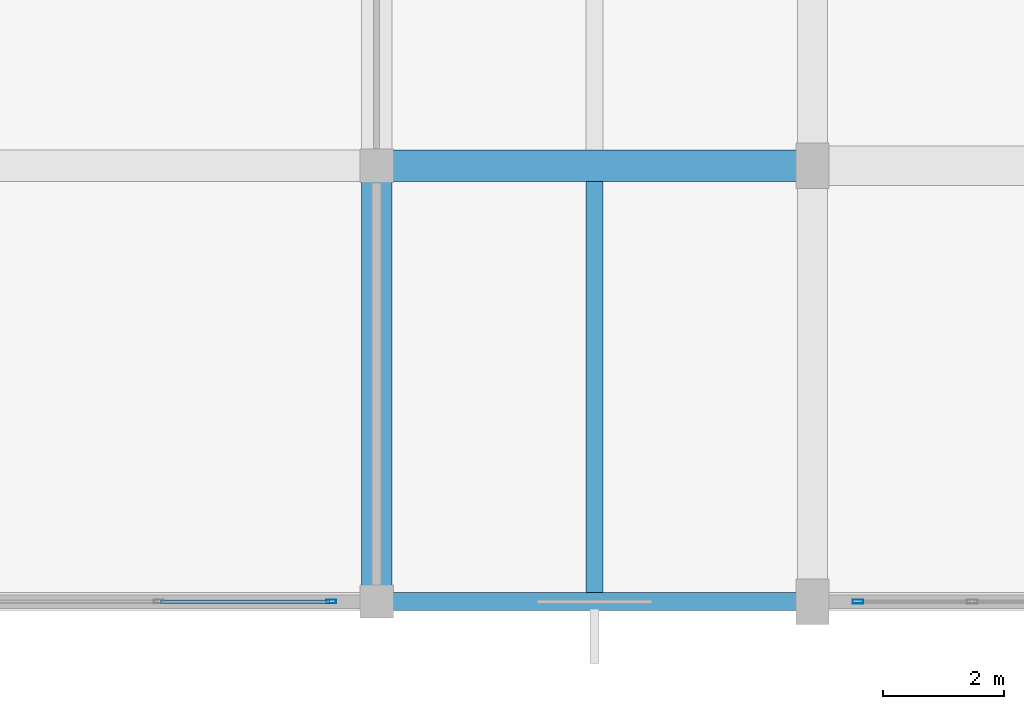
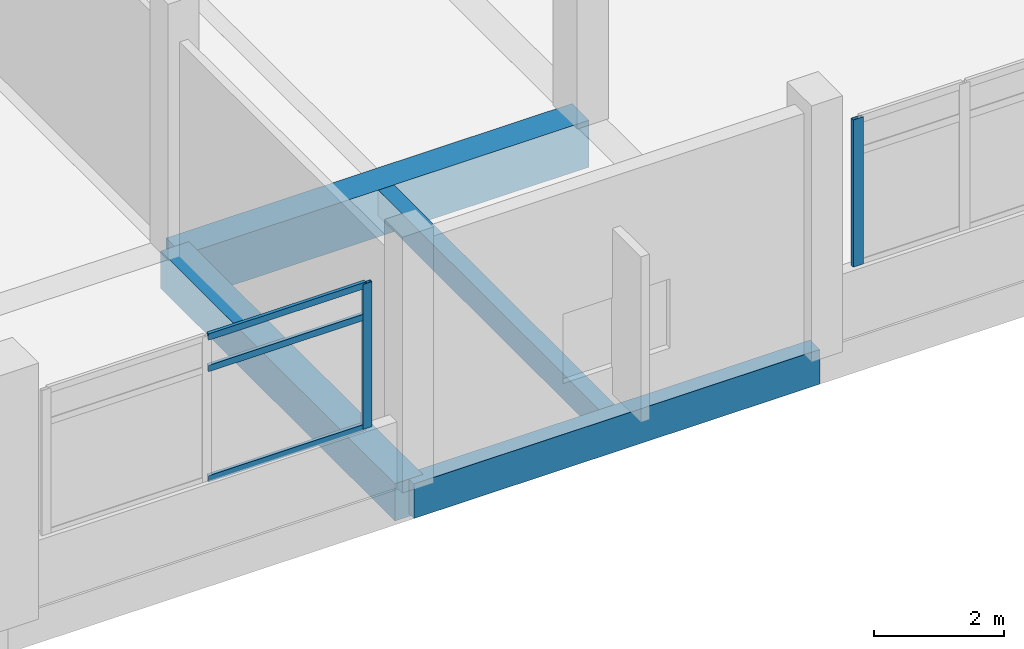
# One storey, part 80 of 140: 5 members, 4 beams, 2 elements without a shape of their own.
"""IFC4 building model written with IfcOpenShell, lengths in metres."""

import ifcopenshell
import ifcopenshell.guid

model = None  # the IFC model being written
_history = None  # IfcOwnerHistory: only IFC2X3 demands one
_inside = {}  # id of a spatial element -> (the spatial element, [elements in it])
_under = {}  # id of a project, library or spatial element -> (it, [spatial elements below it])
_declared = {}  # id of a project -> (the project, [libraries it declares])
_typed = {}  # id of a type object -> (the type object, [elements of that type])
_made_of = {}  # id of a material, layer set ... -> (it, [elements and type objects made of it])


def new_model(schema):
    """Start an empty IFC model of exactly this schema.

    Asked for "IFC4X3", IfcOpenShell would pick the latest addendum, in which some entities
    have other attributes; the version numbers below select the first issue.
    IFC2X3 requires an IfcOwnerHistory on every rooted entity: one is made here for all.
    """
    global model, _history
    if schema == "IFC4X3":
        model = ifcopenshell.file(schema_version=(4, 3, 0, 0))
    else:
        model = ifcopenshell.file(schema=schema)
    _inside.clear()
    _under.clear()
    _declared.clear()
    _typed.clear()
    _made_of.clear()
    _history = None
    if model.schema == "IFC2X3":
        org = make("IfcOrganization", Name="unknown")
        user = make(
            "IfcPersonAndOrganization",
            ThePerson=make("IfcPerson", FamilyName="unknown"),
            TheOrganization=org,
        )
        app = make(
            "IfcApplication",
            ApplicationDeveloper=org,
            Version="unknown",
            ApplicationFullName="unknown",
            ApplicationIdentifier="unknown",
        )
        _history = make(
            "IfcOwnerHistory",
            OwningUser=user,
            OwningApplication=app,
            ChangeAction="ADDED",
            CreationDate=0,
        )
    return model


def make(cls, **values):
    """One entity of the class cls with the attributes given. An attribute that is None is left unset."""
    return model.create_entity(
        cls, **{name: value for name, value in values.items() if value is not None}
    )


def rooted(cls, **values):
    """An entity with a GlobalId (a new one), such as an element, a storey or a relation."""
    return make(cls, GlobalId=ifcopenshell.guid.new(), OwnerHistory=_history, **values)


def si_unit(unit_type, name, prefix=None):
    """IfcSIUnit, for example si_unit("LENGTHUNIT", "METRE", prefix="MILLI")."""
    return make("IfcSIUnit", UnitType=unit_type, Prefix=prefix, Name=name)


def assignment(units):
    """IfcUnitAssignment: the units of a project."""
    return None if units is None else make("IfcUnitAssignment", Units=units)


def point(xyz):
    """IfcCartesianPoint."""
    return None if xyz is None else make("IfcCartesianPoint", Coordinates=xyz)


def direction(xyz):
    """IfcDirection."""
    return None if xyz is None else make("IfcDirection", DirectionRatios=xyz)


def frame(location, z_axis=None, x_axis=None):
    """IfcAxis2Placement3D, a coordinate frame: its origin and axes. An axis left out is left unset."""
    return make(
        "IfcAxis2Placement3D",
        Location=point(location),
        Axis=direction(z_axis),
        RefDirection=direction(x_axis),
    )


def frame_2d(location, x_axis=None):
    """IfcAxis2Placement2D, a coordinate frame in the plane: its origin and x axis."""
    return make(
        "IfcAxis2Placement2D", Location=point(location), RefDirection=direction(x_axis)
    )


def origin():
    """The frame at (0, 0, 0) with its axes left unset."""
    return frame((0.0, 0.0, 0.0))


def origin_2d():
    """The frame at (0, 0) in the plane with its x axis left unset."""
    return frame_2d((0.0, 0.0))


def place(relative_to, where):
    """IfcLocalPlacement: puts the frame where relative to a parent placement (None: the world)."""
    return make(
        "IfcLocalPlacement", PlacementRelTo=relative_to, RelativePlacement=where
    )


def context(
    kind, dimensions, precision=None, world=None, true_north=None, identifier=None
):
    """IfcGeometricRepresentationContext, for example the 3D "Model" context."""
    return make(
        "IfcGeometricRepresentationContext",
        ContextIdentifier=identifier,
        ContextType=kind,
        CoordinateSpaceDimension=dimensions,
        Precision=precision,
        WorldCoordinateSystem=world,
        TrueNorth=true_north,
    )


def subcontext(parent, identifier, kind, view, scale=None):
    """IfcGeometricRepresentationSubContext, for example "Body" below "Model"."""
    return make(
        "IfcGeometricRepresentationSubContext",
        ContextIdentifier=identifier,
        ContextType=kind,
        ParentContext=parent,
        TargetScale=scale,
        TargetView=view,
    )


def project(units=None, contexts=None):
    """IfcProject with its units and contexts."""
    return rooted(
        "IfcProject",
        Name="project",
        RepresentationContexts=contexts,
        UnitsInContext=assignment(units),
    )


def spatial(cls, under=None, at=None, **own):
    """A site, building, storey or space (cls), placed at a placement, below another one or the project."""
    s = rooted(cls, ObjectPlacement=at, **own)
    if under is not None:
        _under.setdefault(under.id(), (under, []))[1].append(s)
    return s


def profile(cls, at=None, kind="AREA", **sizes):
    """A parametric profile (cls). Its sizes go by their IFC names, for example OverallWidth=200.0."""
    return make(cls, ProfileType=kind, Position=at, **sizes)


def rectangle(**sizes):
    """IfcRectangleProfileDef."""
    return profile("IfcRectangleProfileDef", **sizes)


def hollow_rectangle(**sizes):
    """IfcRectangleHollowProfileDef."""
    return profile("IfcRectangleHollowProfileDef", **sizes)


def extrude(swept, where, along, depth):
    """IfcExtrudedAreaSolid: the profile swept, set in the frame where, extruded along a direction by depth."""
    return make(
        "IfcExtrudedAreaSolid",
        SweptArea=swept,
        Position=where,
        ExtrudedDirection=direction(along),
        Depth=depth,
    )


def shape(context_of_items, identifier, shape_type, items):
    """IfcShapeRepresentation: the items that make up one representation, for example the "Body"."""
    return make(
        "IfcShapeRepresentation",
        ContextOfItems=context_of_items,
        RepresentationIdentifier=identifier,
        RepresentationType=shape_type,
        Items=items,
    )


def material(Name=None, Category=None):
    """IfcMaterial."""
    return make("IfcMaterial", Name=Name, Category=Category)


def layer(
    of_material, thickness, ventilated=None, Name=None, Category=None, Priority=None
):
    """IfcMaterialLayer: one layer of a wall or slab, of a material (None: an air gap)."""
    return make(
        "IfcMaterialLayer",
        Material=of_material,
        LayerThickness=thickness,
        IsVentilated=ventilated,
        Name=Name,
        Category=Category,
        Priority=Priority,
    )


def layer_set(layers, Name=None):
    """IfcMaterialLayerSet."""
    return make("IfcMaterialLayerSet", MaterialLayers=layers, LayerSetName=Name)


def material_profile(
    of_material, cross_section, Name=None, Category=None, Priority=None
):
    """IfcMaterialProfile: a cross section and its material."""
    return make(
        "IfcMaterialProfile",
        Name=Name,
        Material=of_material,
        Profile=cross_section,
        Priority=Priority,
        Category=Category,
    )


def profile_set(profiles, Name=None, composite=None):
    """IfcMaterialProfileSet."""
    return make(
        "IfcMaterialProfileSet",
        Name=Name,
        MaterialProfiles=profiles,
        CompositeProfile=composite,
    )


def made_of(thing, what):
    """Note that an element or type object is made of a material, layer set ...; save() writes the relation."""
    if what is not None:
        _made_of.setdefault(what.id(), (what, []))[1].append(thing)
    return thing


def type_object(cls, material=None, **own):
    """A type object (cls), such as IfcWallType, which elements share."""
    return made_of(rooted(cls, **own), material)


def element(
    cls,
    number,
    at=None,
    inside=None,
    cuts=None,
    type_object=None,
    material=None,
    context=None,
    identifier="Body",
    shape_type=None,
    held_by="IfcProductDefinitionShape",
    body=None,
    shapes=None,
    **own,
):
    """One element of the class cls, such as IfcWall. Its Tag is "e" and its number.

    at: its placement. inside: the storey or other place that contains it. cuts: it is an
    opening in that element (IfcRelVoidsElement). A single representation is given by context,
    identifier, shape_type and body (its items); several are given by shapes. held_by: the class
    of the entity that holds the representations. save() writes the other relations.
    """
    e = rooted(cls, Tag="e%d" % number, ObjectPlacement=at, **own)
    if body is not None:
        shapes = [shape(context, identifier, shape_type, body)]
    if shapes is not None:
        e.Representation = make(held_by, Representations=shapes)
    if inside is not None:
        _inside.setdefault(inside.id(), (inside, []))[1].append(e)
    if cuts is not None:
        rooted(
            "IfcRelVoidsElement", RelatingBuildingElement=cuts, RelatedOpeningElement=e
        )
    if type_object is not None:
        _typed.setdefault(type_object.id(), (type_object, []))[1].append(e)
    return made_of(e, material)


def aggregate(whole, parts):
    """IfcRelAggregates: a whole, such as a stair, and the parts it consists of."""
    return rooted("IfcRelAggregates", RelatingObject=whole, RelatedObjects=parts)


def save(model, path):
    """Write the relations noted so far, then the file.

    IfcRelAggregates (storeys below a building ...), IfcRelContainedInSpatialStructure (elements
    in a storey), IfcRelDefinesByType, IfcRelAssociatesMaterial and IfcRelDeclares: one each for
    every whole, place, type object, material and project.
    """
    for whole, parts in _under.values():
        aggregate(whole, parts)
    for where, things in _inside.values():
        rooted(
            "IfcRelContainedInSpatialStructure",
            RelatedElements=things,
            RelatingStructure=where,
        )
    for kind, things in _typed.values():
        rooted("IfcRelDefinesByType", RelatedObjects=things, RelatingType=kind)
    for what, things in _made_of.values():
        rooted("IfcRelAssociatesMaterial", RelatedObjects=things, RelatingMaterial=what)
    for by, libraries in _declared.values():
        rooted("IfcRelDeclares", RelatingContext=by, RelatedDefinitions=libraries)
    model.write(path)


model = new_model("IFC4")

# Units and contexts
model_context = context("Model", 3, precision=1e-05, world=origin(), true_north=direction((0.0, 1.0)))
body_context = subcontext(model_context, "Body", "Model", "MODEL_VIEW")
ifc_project = project(units=[si_unit("LENGTHUNIT", "METRE"), si_unit("AREAUNIT", "SQUARE_METRE"), si_unit("VOLUMEUNIT", "CUBIC_METRE"), si_unit("PLANEANGLEUNIT", "RADIAN"), si_unit("MASSUNIT", "GRAM", prefix="KILO")], contexts=[model_context])

# Site, building, storey
site_placement = place(None, origin())
site = spatial("IfcSite", under=ifc_project, at=site_placement, CompositionType="ELEMENT")
building_placement = place(site_placement, origin())
building = spatial("IfcBuilding", under=site, at=building_placement, Name="Seraya Terrace Polytechnic", CompositionType="ELEMENT")
storey_placement = place(building_placement, frame((0.0, 0.0, 9.60009765625)))
storey = spatial("IfcBuildingStorey", under=building, at=storey_placement, Name="L02", CompositionType="ELEMENT", Elevation=9.60009765625)

# Beams
ifc_material_1 = material(Name="Concrete C40/50", Category="concrete")
ifc_material_profile_1 = material_profile(ifc_material_1, rectangle(XDim=0.52001953125, YDim=0.8798828125, at=origin_2d()), Name="RC 520x880")
ifc_profile_set_1 = profile_set([ifc_material_profile_1], Name="Concrete C40/50")
beam_type_1 = type_object("IfcBeamType", Name="BM-04", PredefinedType="BEAM", material=ifc_profile_set_1)
beam_1_placement = place(storey_placement, frame((129.60009765625, 7.199951171875, -0.440185546875), z_axis=(1.0, 0.0, 0.0), x_axis=(0.0, 1.0, 0.0)))
element("IfcBeam", 1, at=beam_1_placement, inside=storey, type_object=beam_type_1, Name="Beam BM-04 L02 X (129.6..136.8, 7.2)", PredefinedType="BEAM", context=body_context, shape_type="SweptSolid", body=[
    extrude(rectangle(XDim=0.52001953125, YDim=0.8798828125, at=origin_2d()), origin(), (0.0, 0.0, 1.0), 7.199951171875),
])
ifc_material_profile_2 = material_profile(ifc_material_1, rectangle(XDim=0.5, YDim=0.699951171875, at=origin_2d()), Name="RC 500x700")
ifc_profile_set_2 = profile_set([ifc_material_profile_2], Name="Concrete C40/50")
beam_type_2 = type_object("IfcBeamType", Name="BM-07", PredefinedType="BEAM", material=ifc_profile_set_2)
beam_2_placement = place(storey_placement, frame((129.60009765625, 0.0, -0.35009765625), z_axis=(0.0, 1.0, 0.0), x_axis=(-1.0, 0.0, 0.0)))
element("IfcBeam", 2, at=beam_2_placement, inside=storey, type_object=beam_type_2, Name="Beam BM-07 L02 Y (129.6, 0.0..7.2)", PredefinedType="BEAM", context=body_context, shape_type="SweptSolid", body=[
    extrude(rectangle(XDim=0.5, YDim=0.699951171875, at=origin_2d()), origin(), (0.0, 0.0, 1.0), 7.199951171875),
])

# Curtain wall, member
ifc_material_2 = material(Name="Anodised aluminium EN AW-6063 T6", Category="aluminium")
ifc_layer_1 = layer(ifc_material_2, 0.179931640625, Name="CW-34")
ifc_layer_set_1 = layer_set([ifc_layer_1], Name="Anodised aluminium EN AW-6063 T6")
curtain_wall_type_1 = type_object("IfcCurtainWallType", Name="CW-34", PredefinedType="NOTDEFINED", material=ifc_layer_set_1)
curtain_wall_1_placement = place(storey_placement, origin())
curtain_wall_1 = element("IfcCurtainWall", 3, at=curtain_wall_1_placement, inside=storey, type_object=curtain_wall_type_1, Name="Unitised curtain wall CW-34 (CW-L02-070)", PredefinedType="NOTDEFINED")
ifc_material_profile_3 = material_profile(ifc_material_2, hollow_rectangle(XDim=0.06494140625, YDim=0.179931640625, WallThickness=0.00390625, at=origin_2d()), Name="RHS 180x65x4.0")
ifc_profile_set_3 = profile_set([ifc_material_profile_3], Name="Anodised aluminium EN AW-6063 T6")
member_type_1 = type_object("IfcMemberType", Name="CWM-01", PredefinedType="MULLION", material=ifc_profile_set_3)
member_1_placement = place(storey_placement, frame((137.552490234375, 0.0, 1.239990234375), z_axis=(0.0, 0.0, 1.0), x_axis=(0.0, -1.0, 0.0)))
member_1 = element("IfcMember", 4, at=member_1_placement, type_object=member_type_1, Name="CW-34 mullion 4", PredefinedType="MULLION", context=body_context, shape_type="SweptSolid", body=[
    extrude(hollow_rectangle(XDim=0.06494140625, YDim=0.179931640625, WallThickness=0.00390625, at=origin_2d()), origin(), (0.0, 0.0, 1.0), 2.760009765625),
])
aggregate(curtain_wall_1, [member_1])

# Curtain wall, members
ifc_layer_2 = layer(ifc_material_2, 0.179931640625, Name="CW-35")
ifc_layer_set_2 = layer_set([ifc_layer_2], Name="Anodised aluminium EN AW-6063 T6")
curtain_wall_type_2 = type_object("IfcCurtainWallType", Name="CW-35", PredefinedType="NOTDEFINED", material=ifc_layer_set_2)
curtain_wall_2_placement = place(storey_placement, origin())
curtain_wall_2 = element("IfcCurtainWall", 5, at=curtain_wall_2_placement, inside=storey, type_object=curtain_wall_type_2, Name="Unitised curtain wall CW-35 (CW-L02-071)", PredefinedType="NOTDEFINED")
ifc_material_profile_4 = material_profile(ifc_material_2, hollow_rectangle(XDim=0.06005859375, YDim=0.159912109375, WallThickness=0.00341796875, at=origin_2d()), Name="RHS 160x60x3.5")
ifc_profile_set_4 = profile_set([ifc_material_profile_4], Name="Anodised aluminium EN AW-6063 T6")
member_type_2 = type_object("IfcMemberType", Name="CWM-02", PredefinedType="MULLION", material=ifc_profile_set_4)
member_2_placement = place(storey_placement, frame((128.85009765625, 0.0, 1.239990234375), z_axis=(0.0, 0.0, 1.0), x_axis=(0.0, -1.0, 0.0)))
member_2 = element("IfcMember", 6, at=member_2_placement, type_object=member_type_2, Name="CW-35 mullion 1", PredefinedType="MULLION", context=body_context, shape_type="SweptSolid", body=[
    extrude(hollow_rectangle(XDim=0.06005859375, YDim=0.159912109375, WallThickness=0.00341796875, at=origin_2d()), origin(), (0.0, 0.0, 1.0), 2.719970703125),
])
ifc_material_profile_5 = material_profile(ifc_material_2, hollow_rectangle(XDim=0.06005859375, YDim=0.1201171875, WallThickness=0.003173828125, at=origin_2d()), Name="RHS 120x60x3.2")
ifc_profile_set_5 = profile_set([ifc_material_profile_5], Name="Anodised aluminium EN AW-6063 T6")
member_type_3 = type_object("IfcMemberType", Name="CWT-02", PredefinedType="USERDEFINED", material=ifc_profile_set_5)
member_3_placement = place(storey_placement, frame((128.820068359375, 0.0, 1.27001953125), z_axis=(-1.0, 0.0, 0.0), x_axis=(0.0, -1.0, 0.0)))
member_3 = element("IfcMember", 7, at=member_3_placement, type_object=member_type_3, Name="CW-35 transom 1.1", ObjectType="TRANSOM", PredefinedType="USERDEFINED", context=body_context, shape_type="SweptSolid", body=[
    extrude(hollow_rectangle(XDim=0.06005859375, YDim=0.1201171875, WallThickness=0.003173828125, at=origin_2d()), origin(), (0.0, 0.0, 1.0), 2.7900390625),
])
member_4_placement = place(storey_placement, frame((128.820068359375, 0.0, 3.33984375), z_axis=(-1.0, 0.0, 0.0), x_axis=(0.0, -1.0, 0.0)))
member_4 = element("IfcMember", 8, at=member_4_placement, type_object=member_type_3, Name="CW-35 transom 1.2", ObjectType="TRANSOM", PredefinedType="USERDEFINED", context=body_context, shape_type="SweptSolid", body=[
    extrude(hollow_rectangle(XDim=0.06005859375, YDim=0.1201171875, WallThickness=0.003173828125, at=origin_2d()), origin(), (0.0, 0.0, 1.0), 2.7900390625),
])
member_5_placement = place(storey_placement, frame((128.820068359375, 0.0, 3.929931640625), z_axis=(-1.0, 0.0, 0.0), x_axis=(0.0, -1.0, 0.0)))
member_5 = element("IfcMember", 9, at=member_5_placement, type_object=member_type_3, Name="CW-35 transom 1.3", ObjectType="TRANSOM", PredefinedType="USERDEFINED", context=body_context, shape_type="SweptSolid", body=[
    extrude(hollow_rectangle(XDim=0.06005859375, YDim=0.1201171875, WallThickness=0.003173828125, at=origin_2d()), origin(), (0.0, 0.0, 1.0), 2.7900390625),
])
aggregate(curtain_wall_2, [member_2, member_3, member_4, member_5])

# Beams
ifc_material_profile_6 = material_profile(ifc_material_1, rectangle(XDim=0.280029296875, YDim=0.47998046875, at=origin_2d()), Name="RC 280x480")
ifc_profile_set_6 = profile_set([ifc_material_profile_6], Name="Concrete C40/50")
beam_type_3 = type_object("IfcBeamType", Name="JS-07", PredefinedType="JOIST", material=ifc_profile_set_6)
beam_3_placement = place(storey_placement, frame((133.199951171875, 0.14990234375, -0.239990234375), z_axis=(0.0, 1.0, 0.0), x_axis=(-1.0, 0.0, 0.0)))
element("IfcBeam", 10, at=beam_3_placement, inside=storey, type_object=beam_type_3, Name="Secondary joist JS-07 L02", PredefinedType="JOIST", context=body_context, shape_type="SweptSolid", body=[
    extrude(rectangle(XDim=0.280029296875, YDim=0.47998046875, at=origin_2d()), origin(), (0.0, 0.0, 1.0), 6.7900390625),
])
ifc_material_profile_7 = material_profile(ifc_material_1, rectangle(XDim=0.300048828125, YDim=0.64990234375, at=origin_2d()), Name="RC 300x650")
ifc_profile_set_7 = profile_set([ifc_material_profile_7], Name="Concrete C40/50")
beam_type_4 = type_object("IfcBeamType", Name="SP-01", PredefinedType="SPANDREL", material=ifc_profile_set_7)
beam_4_placement = place(storey_placement, frame((129.60009765625, 0.0, -0.3251953125), z_axis=(1.0, 0.0, 0.0), x_axis=(0.0, 1.0, 0.0)))
element("IfcBeam", 11, at=beam_4_placement, inside=storey, type_object=beam_type_4, Name="Beam SP-01 L02 X (129.6..136.8, 0.0)", PredefinedType="SPANDREL", context=body_context, shape_type="SweptSolid", body=[
    extrude(rectangle(XDim=0.300048828125, YDim=0.64990234375, at=origin_2d()), origin(), (0.0, 0.0, 1.0), 7.199951171875),
])

save(model, "model.ifc")
